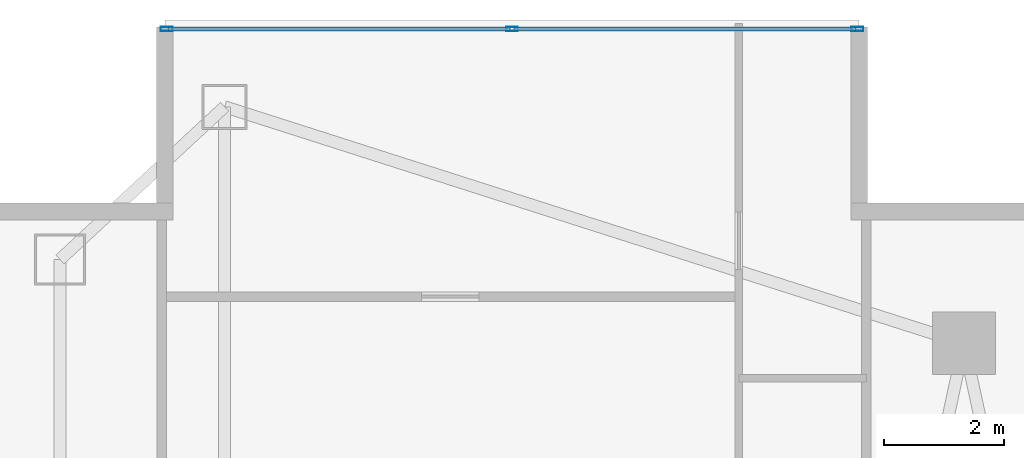
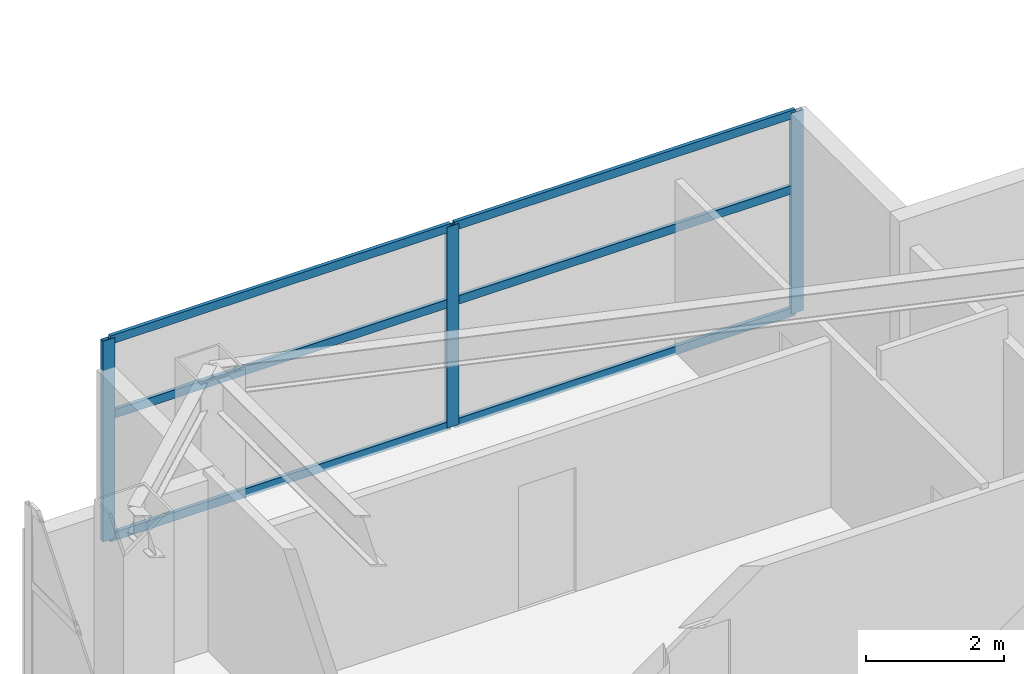
# One storey, part 19 of 29: 9 members, 1 element without a shape of its own.
"""IFC4 building model written with IfcOpenShell, lengths in metres."""

import ifcopenshell
import ifcopenshell.guid

model = None  # the IFC model being written
_history = None  # IfcOwnerHistory: only IFC2X3 demands one
_inside = {}  # id of a spatial element -> (the spatial element, [elements in it])
_under = {}  # id of a project, library or spatial element -> (it, [spatial elements below it])
_declared = {}  # id of a project -> (the project, [libraries it declares])
_typed = {}  # id of a type object -> (the type object, [elements of that type])
_made_of = {}  # id of a material, layer set ... -> (it, [elements and type objects made of it])


def new_model(schema):
    """Start an empty IFC model of exactly this schema.

    Asked for "IFC4X3", IfcOpenShell would pick the latest addendum, in which some entities
    have other attributes; the version numbers below select the first issue.
    IFC2X3 requires an IfcOwnerHistory on every rooted entity: one is made here for all.
    """
    global model, _history
    if schema == "IFC4X3":
        model = ifcopenshell.file(schema_version=(4, 3, 0, 0))
    else:
        model = ifcopenshell.file(schema=schema)
    _inside.clear()
    _under.clear()
    _declared.clear()
    _typed.clear()
    _made_of.clear()
    _history = None
    if model.schema == "IFC2X3":
        org = make("IfcOrganization", Name="unknown")
        user = make(
            "IfcPersonAndOrganization",
            ThePerson=make("IfcPerson", FamilyName="unknown"),
            TheOrganization=org,
        )
        app = make(
            "IfcApplication",
            ApplicationDeveloper=org,
            Version="unknown",
            ApplicationFullName="unknown",
            ApplicationIdentifier="unknown",
        )
        _history = make(
            "IfcOwnerHistory",
            OwningUser=user,
            OwningApplication=app,
            ChangeAction="ADDED",
            CreationDate=0,
        )
    return model


def make(cls, **values):
    """One entity of the class cls with the attributes given. An attribute that is None is left unset."""
    return model.create_entity(
        cls, **{name: value for name, value in values.items() if value is not None}
    )


def rooted(cls, **values):
    """An entity with a GlobalId (a new one), such as an element, a storey or a relation."""
    return make(cls, GlobalId=ifcopenshell.guid.new(), OwnerHistory=_history, **values)


def si_unit(unit_type, name, prefix=None):
    """IfcSIUnit, for example si_unit("LENGTHUNIT", "METRE", prefix="MILLI")."""
    return make("IfcSIUnit", UnitType=unit_type, Prefix=prefix, Name=name)


def assignment(units):
    """IfcUnitAssignment: the units of a project."""
    return None if units is None else make("IfcUnitAssignment", Units=units)


def point(xyz):
    """IfcCartesianPoint."""
    return None if xyz is None else make("IfcCartesianPoint", Coordinates=xyz)


def direction(xyz):
    """IfcDirection."""
    return None if xyz is None else make("IfcDirection", DirectionRatios=xyz)


def frame(location, z_axis=None, x_axis=None):
    """IfcAxis2Placement3D, a coordinate frame: its origin and axes. An axis left out is left unset."""
    return make(
        "IfcAxis2Placement3D",
        Location=point(location),
        Axis=direction(z_axis),
        RefDirection=direction(x_axis),
    )


def frame_2d(location, x_axis=None):
    """IfcAxis2Placement2D, a coordinate frame in the plane: its origin and x axis."""
    return make(
        "IfcAxis2Placement2D", Location=point(location), RefDirection=direction(x_axis)
    )


def origin():
    """The frame at (0, 0, 0) with its axes left unset."""
    return frame((0.0, 0.0, 0.0))


def origin_2d():
    """The frame at (0, 0) in the plane with its x axis left unset."""
    return frame_2d((0.0, 0.0))


def place(relative_to, where):
    """IfcLocalPlacement: puts the frame where relative to a parent placement (None: the world)."""
    return make(
        "IfcLocalPlacement", PlacementRelTo=relative_to, RelativePlacement=where
    )


def context(
    kind, dimensions, precision=None, world=None, true_north=None, identifier=None
):
    """IfcGeometricRepresentationContext, for example the 3D "Model" context."""
    return make(
        "IfcGeometricRepresentationContext",
        ContextIdentifier=identifier,
        ContextType=kind,
        CoordinateSpaceDimension=dimensions,
        Precision=precision,
        WorldCoordinateSystem=world,
        TrueNorth=true_north,
    )


def subcontext(parent, identifier, kind, view, scale=None):
    """IfcGeometricRepresentationSubContext, for example "Body" below "Model"."""
    return make(
        "IfcGeometricRepresentationSubContext",
        ContextIdentifier=identifier,
        ContextType=kind,
        ParentContext=parent,
        TargetScale=scale,
        TargetView=view,
    )


def project(units=None, contexts=None):
    """IfcProject with its units and contexts."""
    return rooted(
        "IfcProject",
        Name="project",
        RepresentationContexts=contexts,
        UnitsInContext=assignment(units),
    )


def spatial(cls, under=None, at=None, **own):
    """A site, building, storey or space (cls), placed at a placement, below another one or the project."""
    s = rooted(cls, ObjectPlacement=at, **own)
    if under is not None:
        _under.setdefault(under.id(), (under, []))[1].append(s)
    return s


def profile(cls, at=None, kind="AREA", **sizes):
    """A parametric profile (cls). Its sizes go by their IFC names, for example OverallWidth=200.0."""
    return make(cls, ProfileType=kind, Position=at, **sizes)


def hollow_rectangle(**sizes):
    """IfcRectangleHollowProfileDef."""
    return profile("IfcRectangleHollowProfileDef", **sizes)


def extrude(swept, where, along, depth):
    """IfcExtrudedAreaSolid: the profile swept, set in the frame where, extruded along a direction by depth."""
    return make(
        "IfcExtrudedAreaSolid",
        SweptArea=swept,
        Position=where,
        ExtrudedDirection=direction(along),
        Depth=depth,
    )


def shape(context_of_items, identifier, shape_type, items):
    """IfcShapeRepresentation: the items that make up one representation, for example the "Body"."""
    return make(
        "IfcShapeRepresentation",
        ContextOfItems=context_of_items,
        RepresentationIdentifier=identifier,
        RepresentationType=shape_type,
        Items=items,
    )


def material(Name=None, Category=None):
    """IfcMaterial."""
    return make("IfcMaterial", Name=Name, Category=Category)


def layer(
    of_material, thickness, ventilated=None, Name=None, Category=None, Priority=None
):
    """IfcMaterialLayer: one layer of a wall or slab, of a material (None: an air gap)."""
    return make(
        "IfcMaterialLayer",
        Material=of_material,
        LayerThickness=thickness,
        IsVentilated=ventilated,
        Name=Name,
        Category=Category,
        Priority=Priority,
    )


def layer_set(layers, Name=None):
    """IfcMaterialLayerSet."""
    return make("IfcMaterialLayerSet", MaterialLayers=layers, LayerSetName=Name)


def material_profile(
    of_material, cross_section, Name=None, Category=None, Priority=None
):
    """IfcMaterialProfile: a cross section and its material."""
    return make(
        "IfcMaterialProfile",
        Name=Name,
        Material=of_material,
        Profile=cross_section,
        Priority=Priority,
        Category=Category,
    )


def profile_set(profiles, Name=None, composite=None):
    """IfcMaterialProfileSet."""
    return make(
        "IfcMaterialProfileSet",
        Name=Name,
        MaterialProfiles=profiles,
        CompositeProfile=composite,
    )


def made_of(thing, what):
    """Note that an element or type object is made of a material, layer set ...; save() writes the relation."""
    if what is not None:
        _made_of.setdefault(what.id(), (what, []))[1].append(thing)
    return thing


def type_object(cls, material=None, **own):
    """A type object (cls), such as IfcWallType, which elements share."""
    return made_of(rooted(cls, **own), material)


def element(
    cls,
    number,
    at=None,
    inside=None,
    cuts=None,
    type_object=None,
    material=None,
    context=None,
    identifier="Body",
    shape_type=None,
    held_by="IfcProductDefinitionShape",
    body=None,
    shapes=None,
    **own,
):
    """One element of the class cls, such as IfcWall. Its Tag is "e" and its number.

    at: its placement. inside: the storey or other place that contains it. cuts: it is an
    opening in that element (IfcRelVoidsElement). A single representation is given by context,
    identifier, shape_type and body (its items); several are given by shapes. held_by: the class
    of the entity that holds the representations. save() writes the other relations.
    """
    e = rooted(cls, Tag="e%d" % number, ObjectPlacement=at, **own)
    if body is not None:
        shapes = [shape(context, identifier, shape_type, body)]
    if shapes is not None:
        e.Representation = make(held_by, Representations=shapes)
    if inside is not None:
        _inside.setdefault(inside.id(), (inside, []))[1].append(e)
    if cuts is not None:
        rooted(
            "IfcRelVoidsElement", RelatingBuildingElement=cuts, RelatedOpeningElement=e
        )
    if type_object is not None:
        _typed.setdefault(type_object.id(), (type_object, []))[1].append(e)
    return made_of(e, material)


def aggregate(whole, parts):
    """IfcRelAggregates: a whole, such as a stair, and the parts it consists of."""
    return rooted("IfcRelAggregates", RelatingObject=whole, RelatedObjects=parts)


def save(model, path):
    """Write the relations noted so far, then the file.

    IfcRelAggregates (storeys below a building ...), IfcRelContainedInSpatialStructure (elements
    in a storey), IfcRelDefinesByType, IfcRelAssociatesMaterial and IfcRelDeclares: one each for
    every whole, place, type object, material and project.
    """
    for whole, parts in _under.values():
        aggregate(whole, parts)
    for where, things in _inside.values():
        rooted(
            "IfcRelContainedInSpatialStructure",
            RelatedElements=things,
            RelatingStructure=where,
        )
    for kind, things in _typed.values():
        rooted("IfcRelDefinesByType", RelatedObjects=things, RelatingType=kind)
    for what, things in _made_of.values():
        rooted("IfcRelAssociatesMaterial", RelatedObjects=things, RelatingMaterial=what)
    for by, libraries in _declared.values():
        rooted("IfcRelDeclares", RelatingContext=by, RelatedDefinitions=libraries)
    model.write(path)


model = new_model("IFC4")

# Units and contexts
model_context = context("Model", 3, precision=1e-05, world=origin(), true_north=direction((0.0, 1.0)))
body_context = subcontext(model_context, "Body", "Model", "MODEL_VIEW")
ifc_project = project(units=[si_unit("LENGTHUNIT", "METRE"), si_unit("AREAUNIT", "SQUARE_METRE"), si_unit("VOLUMEUNIT", "CUBIC_METRE"), si_unit("PLANEANGLEUNIT", "RADIAN"), si_unit("MASSUNIT", "GRAM", prefix="KILO")], contexts=[model_context])

# Site, building, storey
site_placement = place(None, origin())
site = spatial("IfcSite", under=ifc_project, at=site_placement, CompositionType="ELEMENT")
building_placement = place(site_placement, origin())
building = spatial("IfcBuilding", under=site, at=building_placement, Name="Calvorn Quay Hotel", CompositionType="ELEMENT")
storey_placement = place(building_placement, frame((0.0, 0.0, 167.5)))
storey = spatial("IfcBuildingStorey", under=building, at=storey_placement, Name="L41", CompositionType="ELEMENT", Elevation=167.5)

# Curtain wall, members
ifc_material_1 = material(Name="Pale Anodised Aluminium and Low-E Glass", Category="aluminium")
ifc_layer = layer(ifc_material_1, 0.219970703125)
ifc_layer_set = layer_set([ifc_layer], Name="CW-SYS-Z2")
curtain_wall_type = type_object("IfcCurtainWallType", Name="CW-SYS-Z2", PredefinedType="NOTDEFINED", material=ifc_layer_set)
curtain_wall_placement = place(storey_placement, origin())
curtain_wall = element("IfcCurtainWall", 1, at=curtain_wall_placement, inside=storey, type_object=curtain_wall_type, Name="Inner Court Curtain Wall L41-N1", PredefinedType="NOTDEFINED")
ifc_material_2 = material(Name="Pale Anodised Aluminium 6063-T6", Category="aluminium")
ifc_material_profile_1 = material_profile(ifc_material_2, hollow_rectangle(XDim=0.070068359375, YDim=0.199951171875, WallThickness=0.00390625, at=origin_2d()), Name="ALU-M200x70x4")
ifc_profile_set_1 = profile_set([ifc_material_profile_1], Name="Pale Anodised Aluminium 6063-T6")
member_type_1 = type_object("IfcMemberType", Name="CW-SYS-Z2-MUL", PredefinedType="MULLION", material=ifc_profile_set_1)
member_1_placement = place(storey_placement, frame((14.77001953125, 50.85009765625, 0.0), z_axis=(0.0, 0.0, 1.0), x_axis=(0.0, -1.0, 0.0)))
member_1 = element("IfcMember", 2, at=member_1_placement, type_object=member_type_1, Name="CW-L41-N1 mullion 1", PredefinedType="MULLION", context=body_context, shape_type="SweptSolid", body=[
    extrude(hollow_rectangle(XDim=0.070068359375, YDim=0.199951171875, WallThickness=0.00390625, at=origin_2d()), origin(), (0.0, 0.0, 1.0), 3.56005859375),
])
member_2_placement = place(storey_placement, frame((9.0, 50.85009765625, 0.0), z_axis=(0.0, 0.0, 1.0), x_axis=(0.0, -1.0, 0.0)))
member_2 = element("IfcMember", 3, at=member_2_placement, type_object=member_type_1, Name="CW-L41-N1 mullion 2", PredefinedType="MULLION", context=body_context, shape_type="SweptSolid", body=[
    extrude(hollow_rectangle(XDim=0.070068359375, YDim=0.199951171875, WallThickness=0.00390625, at=origin_2d()), origin(), (0.0, 0.0, 1.0), 3.56005859375),
])
member_3_placement = place(storey_placement, frame((3.22998046875, 50.85009765625, 0.0), z_axis=(0.0, 0.0, 1.0), x_axis=(0.0, -1.0, 0.0)))
member_3 = element("IfcMember", 4, at=member_3_placement, type_object=member_type_1, Name="CW-L41-N1 mullion 3", PredefinedType="MULLION", context=body_context, shape_type="SweptSolid", body=[
    extrude(hollow_rectangle(XDim=0.070068359375, YDim=0.199951171875, WallThickness=0.00390625, at=origin_2d()), origin(), (0.0, 0.0, 1.0), 3.56005859375),
])
ifc_material_3 = material(Name="Pale Anodised Aluminium 6063-T6", Category="aluminium")
ifc_material_profile_2 = material_profile(ifc_material_3, hollow_rectangle(XDim=0.06005859375, YDim=0.14990234375, WallThickness=0.00341796875, at=origin_2d()), Name="ALU-T150x60x3.5")
ifc_profile_set_2 = profile_set([ifc_material_profile_2], Name="Pale Anodised Aluminium 6063-T6")
member_type_2 = type_object("IfcMemberType", Name="CW-SYS-Z2-TRN", PredefinedType="USERDEFINED", material=ifc_profile_set_2)
member_4_placement = place(storey_placement, frame((14.739990234375, 50.85009765625, 0.030029296875), z_axis=(-1.0, 0.0, 0.0), x_axis=(0.0, -1.0, 0.0)))
member_4 = element("IfcMember", 5, at=member_4_placement, type_object=member_type_2, Name="CW-L41-N1 transom 1.1", ObjectType="TRANSOM", PredefinedType="USERDEFINED", context=body_context, shape_type="SweptSolid", body=[
    extrude(hollow_rectangle(XDim=0.06005859375, YDim=0.14990234375, WallThickness=0.00341796875, at=origin_2d()), origin(), (0.0, 0.0, 1.0), 5.7099609375),
])
member_5_placement = place(storey_placement, frame((14.739990234375, 50.85009765625, 2.199951171875), z_axis=(-1.0, 0.0, 0.0), x_axis=(0.0, -1.0, 0.0)))
member_5 = element("IfcMember", 6, at=member_5_placement, type_object=member_type_2, Name="CW-L41-N1 transom 1.2", ObjectType="TRANSOM", PredefinedType="USERDEFINED", context=body_context, shape_type="SweptSolid", body=[
    extrude(hollow_rectangle(XDim=0.06005859375, YDim=0.14990234375, WallThickness=0.00341796875, at=origin_2d()), origin(), (0.0, 0.0, 1.0), 5.7099609375),
])
member_6_placement = place(storey_placement, frame((14.739990234375, 50.85009765625, 3.530029296875), z_axis=(-1.0, 0.0, 0.0), x_axis=(0.0, -1.0, 0.0)))
member_6 = element("IfcMember", 7, at=member_6_placement, type_object=member_type_2, Name="CW-L41-N1 transom 1.3", ObjectType="TRANSOM", PredefinedType="USERDEFINED", context=body_context, shape_type="SweptSolid", body=[
    extrude(hollow_rectangle(XDim=0.06005859375, YDim=0.14990234375, WallThickness=0.00341796875, at=origin_2d()), origin(), (0.0, 0.0, 1.0), 5.7099609375),
])
member_7_placement = place(storey_placement, frame((8.969970703125, 50.85009765625, 0.030029296875), z_axis=(-1.0, 0.0, 0.0), x_axis=(0.0, -1.0, 0.0)))
member_7 = element("IfcMember", 8, at=member_7_placement, type_object=member_type_2, Name="CW-L41-N1 transom 2.1", ObjectType="TRANSOM", PredefinedType="USERDEFINED", context=body_context, shape_type="SweptSolid", body=[
    extrude(hollow_rectangle(XDim=0.06005859375, YDim=0.14990234375, WallThickness=0.00341796875, at=origin_2d()), origin(), (0.0, 0.0, 1.0), 5.7099609375),
])
member_8_placement = place(storey_placement, frame((8.969970703125, 50.85009765625, 2.199951171875), z_axis=(-1.0, 0.0, 0.0), x_axis=(0.0, -1.0, 0.0)))
member_8 = element("IfcMember", 9, at=member_8_placement, type_object=member_type_2, Name="CW-L41-N1 transom 2.2", ObjectType="TRANSOM", PredefinedType="USERDEFINED", context=body_context, shape_type="SweptSolid", body=[
    extrude(hollow_rectangle(XDim=0.06005859375, YDim=0.14990234375, WallThickness=0.00341796875, at=origin_2d()), origin(), (0.0, 0.0, 1.0), 5.7099609375),
])
member_9_placement = place(storey_placement, frame((8.969970703125, 50.85009765625, 3.530029296875), z_axis=(-1.0, 0.0, 0.0), x_axis=(0.0, -1.0, 0.0)))
member_9 = element("IfcMember", 10, at=member_9_placement, type_object=member_type_2, Name="CW-L41-N1 transom 2.3", ObjectType="TRANSOM", PredefinedType="USERDEFINED", context=body_context, shape_type="SweptSolid", body=[
    extrude(hollow_rectangle(XDim=0.06005859375, YDim=0.14990234375, WallThickness=0.00341796875, at=origin_2d()), origin(), (0.0, 0.0, 1.0), 5.7099609375),
])
aggregate(curtain_wall, [member_1, member_2, member_3, member_4, member_5, member_6, member_7, member_8, member_9])

save(model, "model.ifc")
